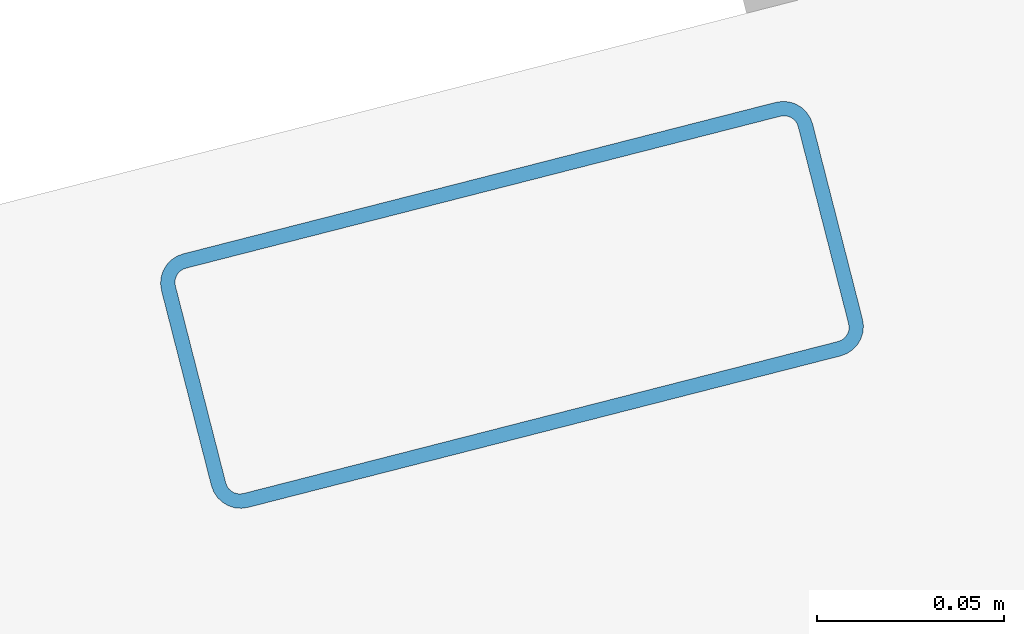
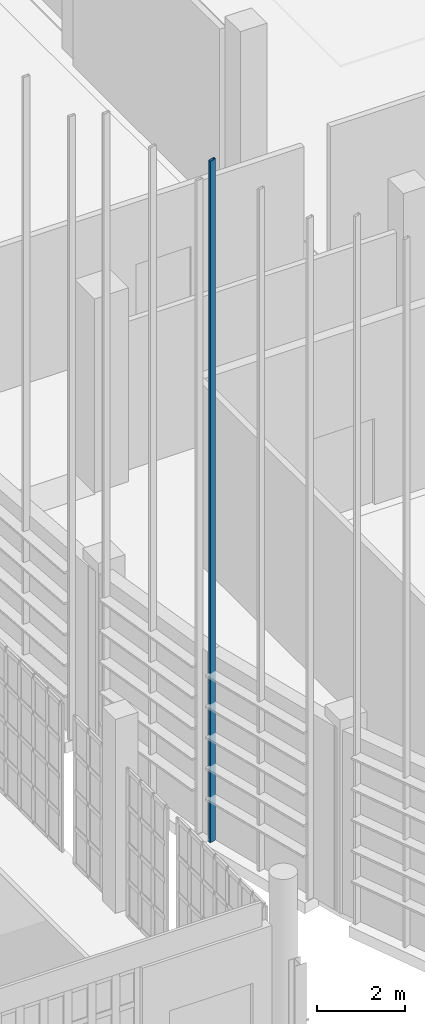
# One storey, part 171 of 372: 1 member.
"""IFC4 building model written with IfcOpenShell, lengths in metres."""

from ifc_helpers import new_model, si_unit, direction, frame, origin, origin_2d, place, context, subcontext, project, spatial, hollow_rectangle, extrude, material, material_profile, profile_set, type_object, element, save


model = new_model("IFC4")

# Units and contexts
model_context = context("Model", 3, precision=1e-05, world=origin(), true_north=direction((0.0, 1.0)))
body_context = subcontext(model_context, "Body", "Model", "MODEL_VIEW")
ifc_project = project(units=[si_unit("LENGTHUNIT", "METRE"), si_unit("AREAUNIT", "SQUARE_METRE"), si_unit("VOLUMEUNIT", "CUBIC_METRE"), si_unit("PLANEANGLEUNIT", "RADIAN"), si_unit("MASSUNIT", "GRAM", prefix="KILO")], contexts=[model_context])

# Site, building, storey
site_placement = place(None, origin())
site = spatial("IfcSite", under=ifc_project, at=site_placement, CompositionType="ELEMENT")
building_placement = place(site_placement, origin())
building = spatial("IfcBuilding", under=site, at=building_placement, Name="Kaelora Sail Theatre", CompositionType="ELEMENT")
storey_placement = place(building_placement, origin())
storey = spatial("IfcBuildingStorey", under=building, at=storey_placement, Name="L00", CompositionType="ELEMENT", Elevation=0.0)

# Member
ifc_material = material(Name="Anodised aluminium 6063-T6", Category="aluminium")
ifc_material_profile = material_profile(ifc_material, hollow_rectangle(XDim=0.070068359375, YDim=0.179931640625, WallThickness=0.00390625, InnerFilletRadius=0.00390625, OuterFilletRadius=0.008056640625, at=origin_2d()), Name="ALU-MULL 70x180x4")
ifc_profile_set = profile_set([ifc_material_profile], Name="Anodised aluminium 6063-T6")
member_type = type_object("IfcMemberType", Name="ARC-MEM-PST-160", PredefinedType="POST", material=ifc_profile_set)
member_placement = place(storey_placement, frame((77.455810546875, 47.24560546875, 0.0), z_axis=(0.0, 0.0, 1.0), x_axis=(-0.247675453076, 0.968843057437, 0.0)))
element("IfcMember", 1, at=member_placement, inside=storey, type_object=member_type, Name="Studio Theatre Sail Drum solar louvre vertical support post C17-3", PredefinedType="POST", context=body_context, shape_type="SweptSolid", body=[
    extrude(hollow_rectangle(XDim=0.070068359375, YDim=0.179931640625, WallThickness=0.00390625, InnerFilletRadius=0.00390625, OuterFilletRadius=0.008056640625, at=origin_2d()), origin(), (0.0, 0.0, 1.0), 18.98193359375),
])

save(model, "model.ifc")
